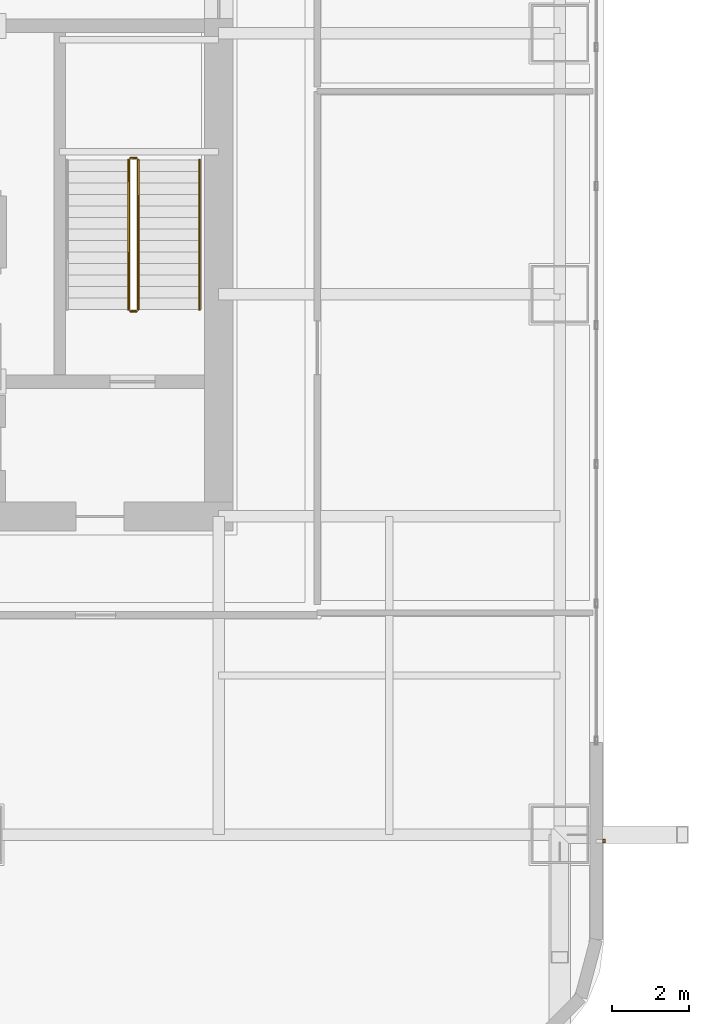
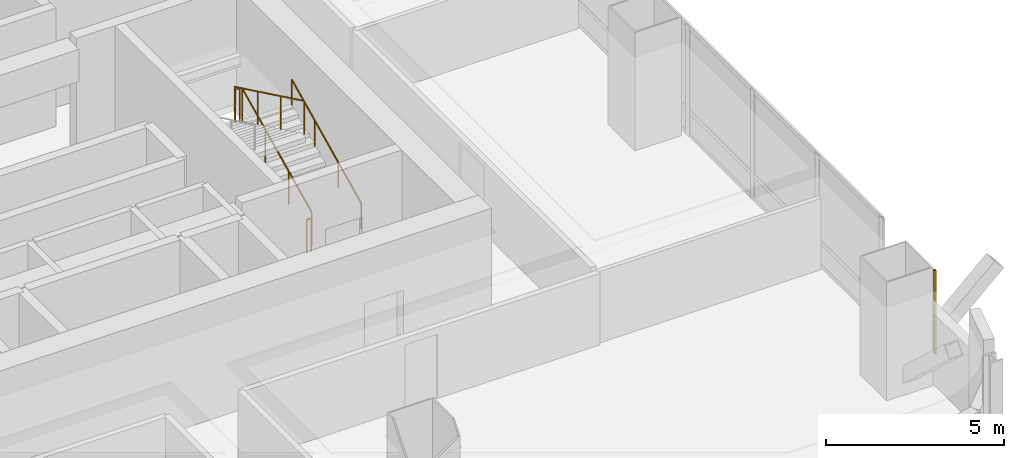
# One storey, part 41 of 45: 5 railings, 1 shading device.
"""IFC4 building model written with IfcOpenShell, lengths in metres."""

from ifc_helpers import new_model, si_unit, direction, frame, origin, origin_2d, place, context, subcontext, project, spatial, hollow_rectangle, circle, extrude, material, material_profile, profile_set, type_object, element, save


model = new_model("IFC4")

# Units and contexts
model_context = context("Model", 3, precision=1e-05, world=origin(), true_north=direction((0.0, 1.0)))
body_context = subcontext(model_context, "Body", "Model", "MODEL_VIEW")
ifc_project = project(units=[si_unit("LENGTHUNIT", "METRE"), si_unit("AREAUNIT", "SQUARE_METRE"), si_unit("VOLUMEUNIT", "CUBIC_METRE"), si_unit("PLANEANGLEUNIT", "RADIAN"), si_unit("MASSUNIT", "GRAM", prefix="KILO")], contexts=[model_context])

# Site, building, storey
site_placement = place(None, origin())
site = spatial("IfcSite", under=ifc_project, at=site_placement, CompositionType="ELEMENT")
building_placement = place(site_placement, origin())
building = spatial("IfcBuilding", under=site, at=building_placement, Name="Punatoya Terracotta Tower", CompositionType="ELEMENT")
storey_placement = place(building_placement, frame((0.0, 0.0, 56.550048828125)))
storey = spatial("IfcBuildingStorey", under=building, at=storey_placement, Name="L12", CompositionType="ELEMENT", Elevation=56.550048828125)

# Railings
ifc_material_1 = material(Name="Steel S355", Category="steel")
railing_type_1 = type_object("IfcRailingType", Name="RLG-GRD-1150", PredefinedType="GUARDRAIL", material=ifc_material_1)
railing_1_placement = place(storey_placement, frame((8.10009765625, -3.800048828125, 0.14453125)))
element("IfcRailing", 1, at=railing_1_placement, inside=storey, type_object=railing_type_1, Name="L12 ST-2 stair guard 1", PredefinedType="GUARDRAIL", context=body_context, shape_type="SweptSolid", body=[
    extrude(circle(Radius=0.02392578125, at=origin_2d()), frame((0.0, 0.0, 1.1259765625), z_axis=(0.0, 0.900773802044, 0.434288564841), x_axis=(-1.0, 0.0, 0.0)), (0.0, 0.0, 1.0), 4.329833984375),
    extrude(circle(Radius=0.02099609375, at=origin_2d()), origin(), (0.0, 0.0, 1.0), 1.101806640625),
    extrude(circle(Radius=0.02099609375, at=origin_2d()), frame((0.0, 1.300048828125, 0.626708984375)), (0.0, 0.0, 1.0), 1.101806640625),
    extrude(circle(Radius=0.02099609375, at=origin_2d()), frame((0.0, 2.60009765625, 1.253662109375)), (0.0, 0.0, 1.0), 1.101806640625),
    extrude(circle(Radius=0.02099609375, at=origin_2d()), frame((0.0, 3.900146484375, 1.88037109375)), (0.0, 0.0, 1.0), 1.101806640625),
])
railing_2_placement = place(storey_placement, frame((8.050048828125, 0.14990234375, 2.02490234375)))
element("IfcRailing", 2, at=railing_2_placement, inside=storey, type_object=railing_type_1, Name="L12 ST-2 stair guard 2", PredefinedType="GUARDRAIL", context=body_context, shape_type="SweptSolid", body=[
    extrude(circle(Radius=0.02392578125, at=origin_2d()), frame((0.0, 0.0, 1.1259765625), z_axis=(-1.0, 0.0, 0.0), x_axis=(0.0, -1.0, 0.0)), (0.0, 0.0, 1.0), 0.150146484375),
    extrude(circle(Radius=0.02099609375, at=origin_2d()), origin(), (0.0, 0.0, 1.0), 1.101806640625),
    extrude(circle(Radius=0.02099609375, at=origin_2d()), frame((-0.150146484375, 0.0, 0.0)), (0.0, 0.0, 1.0), 1.101806640625),
])
railing_3_placement = place(storey_placement, frame((7.85009765625, 0.10009765625, 2.169677734375)))
element("IfcRailing", 3, at=railing_3_placement, inside=storey, type_object=railing_type_1, Name="L12 ST-2 stair guard 3", PredefinedType="GUARDRAIL", context=body_context, shape_type="SweptSolid", body=[
    extrude(circle(Radius=0.02392578125, at=origin_2d()), frame((0.0, 0.0, 1.1259765625), z_axis=(0.0, -0.900773802044, 0.434288564841), x_axis=(1.0, 0.0, 0.0)), (0.0, 0.0, 1.0), 4.329833984375),
    extrude(circle(Radius=0.02099609375, at=origin_2d()), origin(), (0.0, 0.0, 1.0), 1.101806640625),
    extrude(circle(Radius=0.02099609375, at=origin_2d()), frame((0.0, -1.300048828125, 0.626708984375)), (0.0, 0.0, 1.0), 1.101806640625),
    extrude(circle(Radius=0.02099609375, at=origin_2d()), frame((0.0, -2.60009765625, 1.253662109375)), (0.0, 0.0, 1.0), 1.101806640625),
    extrude(circle(Radius=0.02099609375, at=origin_2d()), frame((0.0, -3.900146484375, 1.88037109375)), (0.0, 0.0, 1.0), 1.101806640625),
])
railing_4_placement = place(storey_placement, frame((8.050048828125, -3.85009765625, 0.0)))
element("IfcRailing", 4, at=railing_4_placement, inside=storey, type_object=railing_type_1, Name="L12 ST-2 stair guard 4", PredefinedType="GUARDRAIL", context=body_context, shape_type="SweptSolid", body=[
    extrude(circle(Radius=0.02392578125, at=origin_2d()), frame((0.0, 0.0, 1.1259765625), z_axis=(-1.0, 0.0, 0.0), x_axis=(0.0, -1.0, 0.0)), (0.0, 0.0, 1.0), 0.150146484375),
    extrude(circle(Radius=0.02099609375, at=origin_2d()), origin(), (0.0, 0.0, 1.0), 1.101806640625),
    extrude(circle(Radius=0.02099609375, at=origin_2d()), frame((-0.150146484375, 0.0, 0.0)), (0.0, 0.0, 1.0), 1.101806640625),
])
railing_type_2 = type_object("IfcRailingType", Name="RLG-HND-900", PredefinedType="HANDRAIL", material=ifc_material_1)
railing_5_placement = place(storey_placement, frame((9.699951171875, -3.800048828125, 0.14453125)))
element("IfcRailing", 5, at=railing_5_placement, inside=storey, type_object=railing_type_2, Name="L12 ST-2 stair handrail 1", PredefinedType="HANDRAIL", context=body_context, shape_type="SweptSolid", body=[
    extrude(circle(Radius=0.02392578125, at=origin_2d()), frame((0.0, 0.0, 0.8759765625), z_axis=(0.0, 0.900773802044, 0.434288564841), x_axis=(-1.0, 0.0, 0.0)), (0.0, 0.0, 1.0), 4.329833984375),
    extrude(circle(Radius=0.02099609375, at=origin_2d()), origin(), (0.0, 0.0, 1.0), 0.851806640625),
    extrude(circle(Radius=0.02099609375, at=origin_2d()), frame((0.0, 1.300048828125, 0.626708984375)), (0.0, 0.0, 1.0), 0.851806640625),
    extrude(circle(Radius=0.02099609375, at=origin_2d()), frame((0.0, 2.60009765625, 1.253662109375)), (0.0, 0.0, 1.0), 0.851806640625),
    extrude(circle(Radius=0.02099609375, at=origin_2d()), frame((0.0, 3.900146484375, 1.88037109375)), (0.0, 0.0, 1.0), 0.851806640625),
])

# Shading device
ifc_material_2 = material(Name="Architectural Fired Terracotta", Category="masonry")
ifc_material_profile = material_profile(ifc_material_2, hollow_rectangle(XDim=0.06005859375, YDim=0.090087890625, WallThickness=0.013916015625, at=origin_2d()))
ifc_profile_set = profile_set([ifc_material_profile], Name="Architectural Fired Terracotta")
shading_device_type = type_object("IfcShadingDeviceType", Name="SHD-JALI-90", PredefinedType="JALOUSIE", material=ifc_profile_set)
shading_device_placement = place(storey_placement, frame((20.25, -17.66845703125, 0.599853515625), z_axis=(0.0, 0.0, 1.0), x_axis=(1.0, 0.0, 0.0)))
element("IfcShadingDevice", 6, at=shading_device_placement, inside=storey, type_object=shading_device_type, Name="L12 Braced Bay Terracotta Jali Fin E1", PredefinedType="JALOUSIE", context=body_context, shape_type="SweptSolid", body=[
    extrude(hollow_rectangle(XDim=0.06005859375, YDim=0.090087890625, WallThickness=0.013916015625, at=origin_2d()), origin(), (0.0, 0.0, 1.0), 2.8701171875),
])

save(model, "model.ifc")
